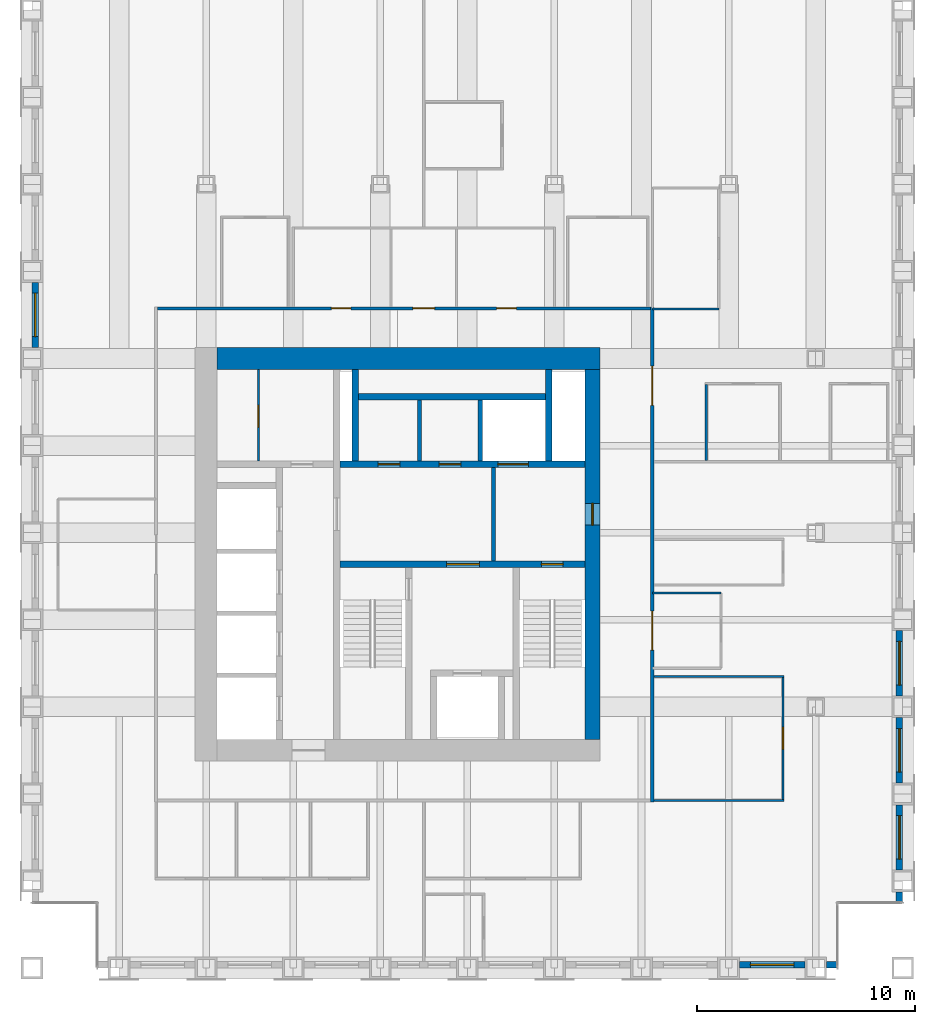
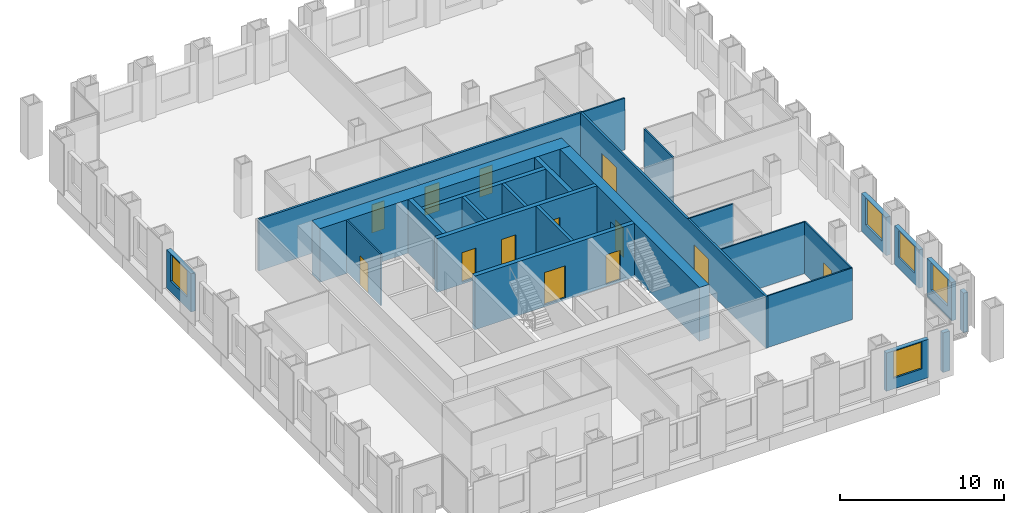
# One storey, part 10 of 14: 26 walls, 13 doors, 5 windows, 18 openings.
"""IFC4 building model written with IfcOpenShell, lengths in metres."""

import ifcopenshell
import ifcopenshell.guid

model = None  # the IFC model being written
_history = None  # IfcOwnerHistory: only IFC2X3 demands one
_inside = {}  # id of a spatial element -> (the spatial element, [elements in it])
_under = {}  # id of a project, library or spatial element -> (it, [spatial elements below it])
_declared = {}  # id of a project -> (the project, [libraries it declares])
_typed = {}  # id of a type object -> (the type object, [elements of that type])
_made_of = {}  # id of a material, layer set ... -> (it, [elements and type objects made of it])


def new_model(schema):
    """Start an empty IFC model of exactly this schema.

    Asked for "IFC4X3", IfcOpenShell would pick the latest addendum, in which some entities
    have other attributes; the version numbers below select the first issue.
    IFC2X3 requires an IfcOwnerHistory on every rooted entity: one is made here for all.
    """
    global model, _history
    if schema == "IFC4X3":
        model = ifcopenshell.file(schema_version=(4, 3, 0, 0))
    else:
        model = ifcopenshell.file(schema=schema)
    _inside.clear()
    _under.clear()
    _declared.clear()
    _typed.clear()
    _made_of.clear()
    _history = None
    if model.schema == "IFC2X3":
        org = make("IfcOrganization", Name="unknown")
        user = make(
            "IfcPersonAndOrganization",
            ThePerson=make("IfcPerson", FamilyName="unknown"),
            TheOrganization=org,
        )
        app = make(
            "IfcApplication",
            ApplicationDeveloper=org,
            Version="unknown",
            ApplicationFullName="unknown",
            ApplicationIdentifier="unknown",
        )
        _history = make(
            "IfcOwnerHistory",
            OwningUser=user,
            OwningApplication=app,
            ChangeAction="ADDED",
            CreationDate=0,
        )
    return model


def make(cls, **values):
    """One entity of the class cls with the attributes given. An attribute that is None is left unset."""
    return model.create_entity(
        cls, **{name: value for name, value in values.items() if value is not None}
    )


def rooted(cls, **values):
    """An entity with a GlobalId (a new one), such as an element, a storey or a relation."""
    return make(cls, GlobalId=ifcopenshell.guid.new(), OwnerHistory=_history, **values)


def si_unit(unit_type, name, prefix=None):
    """IfcSIUnit, for example si_unit("LENGTHUNIT", "METRE", prefix="MILLI")."""
    return make("IfcSIUnit", UnitType=unit_type, Prefix=prefix, Name=name)


def assignment(units):
    """IfcUnitAssignment: the units of a project."""
    return None if units is None else make("IfcUnitAssignment", Units=units)


def point(xyz):
    """IfcCartesianPoint."""
    return None if xyz is None else make("IfcCartesianPoint", Coordinates=xyz)


def direction(xyz):
    """IfcDirection."""
    return None if xyz is None else make("IfcDirection", DirectionRatios=xyz)


def frame(location, z_axis=None, x_axis=None):
    """IfcAxis2Placement3D, a coordinate frame: its origin and axes. An axis left out is left unset."""
    return make(
        "IfcAxis2Placement3D",
        Location=point(location),
        Axis=direction(z_axis),
        RefDirection=direction(x_axis),
    )


def frame_2d(location, x_axis=None):
    """IfcAxis2Placement2D, a coordinate frame in the plane: its origin and x axis."""
    return make(
        "IfcAxis2Placement2D", Location=point(location), RefDirection=direction(x_axis)
    )


def origin():
    """The frame at (0, 0, 0) with its axes left unset."""
    return frame((0.0, 0.0, 0.0))


def place(relative_to, where):
    """IfcLocalPlacement: puts the frame where relative to a parent placement (None: the world)."""
    return make(
        "IfcLocalPlacement", PlacementRelTo=relative_to, RelativePlacement=where
    )


def context(
    kind, dimensions, precision=None, world=None, true_north=None, identifier=None
):
    """IfcGeometricRepresentationContext, for example the 3D "Model" context."""
    return make(
        "IfcGeometricRepresentationContext",
        ContextIdentifier=identifier,
        ContextType=kind,
        CoordinateSpaceDimension=dimensions,
        Precision=precision,
        WorldCoordinateSystem=world,
        TrueNorth=true_north,
    )


def subcontext(parent, identifier, kind, view, scale=None):
    """IfcGeometricRepresentationSubContext, for example "Body" below "Model"."""
    return make(
        "IfcGeometricRepresentationSubContext",
        ContextIdentifier=identifier,
        ContextType=kind,
        ParentContext=parent,
        TargetScale=scale,
        TargetView=view,
    )


def project(units=None, contexts=None):
    """IfcProject with its units and contexts."""
    return rooted(
        "IfcProject",
        Name="project",
        RepresentationContexts=contexts,
        UnitsInContext=assignment(units),
    )


def spatial(cls, under=None, at=None, **own):
    """A site, building, storey or space (cls), placed at a placement, below another one or the project."""
    s = rooted(cls, ObjectPlacement=at, **own)
    if under is not None:
        _under.setdefault(under.id(), (under, []))[1].append(s)
    return s


def profile(cls, at=None, kind="AREA", **sizes):
    """A parametric profile (cls). Its sizes go by their IFC names, for example OverallWidth=200.0."""
    return make(cls, ProfileType=kind, Position=at, **sizes)


def rectangle(**sizes):
    """IfcRectangleProfileDef."""
    return profile("IfcRectangleProfileDef", **sizes)


def extrude(swept, where, along, depth):
    """IfcExtrudedAreaSolid: the profile swept, set in the frame where, extruded along a direction by depth."""
    return make(
        "IfcExtrudedAreaSolid",
        SweptArea=swept,
        Position=where,
        ExtrudedDirection=direction(along),
        Depth=depth,
    )


def shape(context_of_items, identifier, shape_type, items):
    """IfcShapeRepresentation: the items that make up one representation, for example the "Body"."""
    return make(
        "IfcShapeRepresentation",
        ContextOfItems=context_of_items,
        RepresentationIdentifier=identifier,
        RepresentationType=shape_type,
        Items=items,
    )


def material(Name=None, Category=None):
    """IfcMaterial."""
    return make("IfcMaterial", Name=Name, Category=Category)


def layer(
    of_material, thickness, ventilated=None, Name=None, Category=None, Priority=None
):
    """IfcMaterialLayer: one layer of a wall or slab, of a material (None: an air gap)."""
    return make(
        "IfcMaterialLayer",
        Material=of_material,
        LayerThickness=thickness,
        IsVentilated=ventilated,
        Name=Name,
        Category=Category,
        Priority=Priority,
    )


def layer_set(layers, Name=None):
    """IfcMaterialLayerSet."""
    return make("IfcMaterialLayerSet", MaterialLayers=layers, LayerSetName=Name)


def made_of(thing, what):
    """Note that an element or type object is made of a material, layer set ...; save() writes the relation."""
    if what is not None:
        _made_of.setdefault(what.id(), (what, []))[1].append(thing)
    return thing


def type_object(cls, material=None, **own):
    """A type object (cls), such as IfcWallType, which elements share."""
    return made_of(rooted(cls, **own), material)


def element(
    cls,
    number,
    at=None,
    inside=None,
    cuts=None,
    type_object=None,
    material=None,
    context=None,
    identifier="Body",
    shape_type=None,
    held_by="IfcProductDefinitionShape",
    body=None,
    shapes=None,
    **own,
):
    """One element of the class cls, such as IfcWall. Its Tag is "e" and its number.

    at: its placement. inside: the storey or other place that contains it. cuts: it is an
    opening in that element (IfcRelVoidsElement). A single representation is given by context,
    identifier, shape_type and body (its items); several are given by shapes. held_by: the class
    of the entity that holds the representations. save() writes the other relations.
    """
    e = rooted(cls, Tag="e%d" % number, ObjectPlacement=at, **own)
    if body is not None:
        shapes = [shape(context, identifier, shape_type, body)]
    if shapes is not None:
        e.Representation = make(held_by, Representations=shapes)
    if inside is not None:
        _inside.setdefault(inside.id(), (inside, []))[1].append(e)
    if cuts is not None:
        rooted(
            "IfcRelVoidsElement", RelatingBuildingElement=cuts, RelatedOpeningElement=e
        )
    if type_object is not None:
        _typed.setdefault(type_object.id(), (type_object, []))[1].append(e)
    return made_of(e, material)


def fill(opening, filler):
    """IfcRelFillsElement: the door or window that sits in an opening."""
    return rooted(
        "IfcRelFillsElement",
        RelatingOpeningElement=opening,
        RelatedBuildingElement=filler,
    )


def aggregate(whole, parts):
    """IfcRelAggregates: a whole, such as a stair, and the parts it consists of."""
    return rooted("IfcRelAggregates", RelatingObject=whole, RelatedObjects=parts)


def save(model, path):
    """Write the relations noted so far, then the file.

    IfcRelAggregates (storeys below a building ...), IfcRelContainedInSpatialStructure (elements
    in a storey), IfcRelDefinesByType, IfcRelAssociatesMaterial and IfcRelDeclares: one each for
    every whole, place, type object, material and project.
    """
    for whole, parts in _under.values():
        aggregate(whole, parts)
    for where, things in _inside.values():
        rooted(
            "IfcRelContainedInSpatialStructure",
            RelatedElements=things,
            RelatingStructure=where,
        )
    for kind, things in _typed.values():
        rooted("IfcRelDefinesByType", RelatedObjects=things, RelatingType=kind)
    for what, things in _made_of.values():
        rooted("IfcRelAssociatesMaterial", RelatedObjects=things, RelatingMaterial=what)
    for by, libraries in _declared.values():
        rooted("IfcRelDeclares", RelatingContext=by, RelatedDefinitions=libraries)
    model.write(path)


model = new_model("IFC4")

# Units and contexts
model_context = context("Model", 3, precision=1e-05, world=origin(), true_north=direction((0.0, 1.0)))
body_context = subcontext(model_context, "Body", "Model", "MODEL_VIEW")
ifc_project = project(units=[si_unit("LENGTHUNIT", "METRE"), si_unit("AREAUNIT", "SQUARE_METRE"), si_unit("VOLUMEUNIT", "CUBIC_METRE"), si_unit("PLANEANGLEUNIT", "RADIAN"), si_unit("MASSUNIT", "GRAM", prefix="KILO")], contexts=[model_context])

# Site, building, storey
site_placement = place(None, origin())
site = spatial("IfcSite", under=ifc_project, at=site_placement, CompositionType="ELEMENT")
building_placement = place(site_placement, origin())
building = spatial("IfcBuilding", under=site, at=building_placement, Name="Rimbunsela Tower", CompositionType="ELEMENT")
storey_placement = place(building_placement, frame((0.0, 0.0, 226.199951171875)))
storey = spatial("IfcBuildingStorey", under=building, at=storey_placement, Name="L54", CompositionType="ELEMENT", Elevation=226.199951171875)

# Wall, openings, doors
ifc_material_1 = material(Name="Concrete fc' 80 MPa", Category="concrete")
ifc_layer_1 = layer(ifc_material_1, 0.300048828125)
ifc_layer_set_1 = layer_set([ifc_layer_1], Name="Core internal wall 300")
wall_type_1 = type_object("IfcWallType", Name="Core internal wall 300", PredefinedType="SHEAR", material=ifc_layer_set_1)
wall_1_placement = place(storey_placement, frame((24.14990234375, 26.550048828125, -0.14990234375), z_axis=(0.0, 0.0, 1.0), x_axis=(1.0, 0.0, 0.0)))
wall_1 = element("IfcWall", 1, at=wall_1_placement, inside=storey, type_object=wall_type_1, Name="Core wall lobby south", PredefinedType="SHEAR", context=body_context, shape_type="SweptSolid", body=[
    extrude(rectangle(XDim=11.25, YDim=0.300048828125, at=frame_2d((5.625, 0.0))), origin(), (0.0, 0.0, 1.0), 4.0),
])
opening_1_placement = place(wall_1_placement, frame((9.25, 0.0, 0.14990234375)))
opening_1 = element("IfcOpeningElement", 2, at=opening_1_placement, cuts=wall_1, Name="Opening D01", PredefinedType="OPENING", context=body_context, shape_type="SweptSolid", body=[
    extrude(rectangle(XDim=1.0, YDim=2.199951171875, at=frame_2d((0.5, 1.10009765625))), frame((0.0, 0.159912109375, 0.0), z_axis=(0.0, -1.0, 0.0), x_axis=(1.0, 0.0, 0.0)), (0.0, 0.0, 1.0), 0.320068359375),
])
opening_2_placement = place(wall_1_placement, frame((4.89990234375, 0.0, 0.14990234375)))
opening_2 = element("IfcOpeningElement", 3, at=opening_2_placement, cuts=wall_1, Name="Opening D03", PredefinedType="OPENING", context=body_context, shape_type="SweptSolid", body=[
    extrude(rectangle(XDim=1.5, YDim=2.39990234375, at=frame_2d((0.75, 1.199951171875))), frame((0.0, 0.159912109375, 0.0), z_axis=(0.0, -1.0, 0.0), x_axis=(1.0, 0.0, 0.0)), (0.0, 0.0, 1.0), 0.320068359375),
])
ifc_material_2 = material(Name="Steel door, fire rated", Category="steel")
door_type_1 = type_object("IfcDoorType", Name="Core lobby door 1500", OperationType="DOUBLE_DOOR_DOUBLE_SWING", PredefinedType="DOOR", material=ifc_material_2)
door_1_placement = place(opening_2_placement, origin())
door_1 = element("IfcDoor", 4, at=door_1_placement, inside=storey, type_object=door_type_1, Name="Firefighting lobby door", OperationType="DOUBLE_DOOR_DOUBLE_SWING", OverallHeight=2.39990234375, OverallWidth=1.5, PredefinedType="DOOR", context=body_context, shape_type="SweptSolid", body=[
    extrude(rectangle(XDim=1.5, YDim=2.39990234375, at=frame_2d((0.75, 1.199951171875))), frame((0.0, 0.02490234375, 0.0), z_axis=(0.0, -1.0, 0.0), x_axis=(1.0, 0.0, 0.0)), (0.0, 0.0, 1.0), 0.050048828125),
])
fill(opening_2, door_1)
ifc_material_3 = material(Name="Steel door, fire rated", Category="steel")
door_type_2 = type_object("IfcDoorType", Name="Stair door 1000", OperationType="SINGLE_SWING_RIGHT", PredefinedType="DOOR", material=ifc_material_3)
door_2_placement = place(opening_1_placement, frame((1.0, 0.0, 0.0), z_axis=(0.0, 0.0, 1.0), x_axis=(-1.0, 0.0, 0.0)))
door_2 = element("IfcDoor", 5, at=door_2_placement, inside=storey, type_object=door_type_2, Name="Stair B door", OperationType="SINGLE_SWING_RIGHT", OverallHeight=2.199951171875, OverallWidth=1.0, PredefinedType="DOOR", context=body_context, shape_type="SweptSolid", body=[
    extrude(rectangle(XDim=1.0, YDim=2.199951171875, at=frame_2d((0.5, 1.10009765625))), frame((0.0, 0.02490234375, 0.0), z_axis=(0.0, -1.0, 0.0), x_axis=(1.0, 0.0, 0.0)), (0.0, 0.0, 1.0), 0.050048828125),
])
fill(opening_1, door_2)

wall_2_placement = place(storey_placement, frame((24.14990234375, 31.14990234375, -0.14990234375), z_axis=(0.0, 0.0, 1.0), x_axis=(1.0, 0.0, 0.0)))
wall_2 = element("IfcWall", 6, at=wall_2_placement, inside=storey, type_object=wall_type_1, Name="Lift shaft front north", PredefinedType="SHEAR", context=body_context, shape_type="SweptSolid", body=[
    extrude(rectangle(XDim=11.25, YDim=0.300048828125, at=frame_2d((5.625, 0.0))), origin(), (0.0, 0.0, 1.0), 4.0),
])
opening_3_placement = place(wall_2_placement, frame((1.75, 0.0, 0.14990234375)))
opening_3 = element("IfcOpeningElement", 7, at=opening_3_placement, cuts=wall_2, Name="Opening D19", PredefinedType="OPENING", context=body_context, shape_type="SweptSolid", body=[
    extrude(rectangle(XDim=1.0, YDim=2.199951171875, at=frame_2d((0.5, 1.10009765625))), frame((0.0, 0.159912109375, 0.0), z_axis=(0.0, -1.0, 0.0), x_axis=(1.0, 0.0, 0.0)), (0.0, 0.0, 1.0), 0.320068359375),
])
opening_4_placement = place(wall_2_placement, frame((4.550048828125, 0.0, 0.14990234375)))
opening_4 = element("IfcOpeningElement", 8, at=opening_4_placement, cuts=wall_2, Name="Opening D19", PredefinedType="OPENING", context=body_context, shape_type="SweptSolid", body=[
    extrude(rectangle(XDim=1.0, YDim=2.199951171875, at=frame_2d((0.5, 1.10009765625))), frame((0.0, 0.159912109375, 0.0), z_axis=(0.0, -1.0, 0.0), x_axis=(1.0, 0.0, 0.0)), (0.0, 0.0, 1.0), 0.320068359375),
])
opening_5_placement = place(wall_2_placement, frame((7.25, 0.0, 0.14990234375)))
opening_5 = element("IfcOpeningElement", 9, at=opening_5_placement, cuts=wall_2, Name="Opening LD3", PredefinedType="OPENING", context=body_context, shape_type="SweptSolid", body=[
    extrude(rectangle(XDim=1.39990234375, YDim=2.39990234375, at=frame_2d((0.699951171875, 1.199951171875))), frame((0.0, 0.159912109375, 0.0), z_axis=(0.0, -1.0, 0.0), x_axis=(1.0, 0.0, 0.0)), (0.0, 0.0, 1.0), 0.320068359375),
])
ifc_material_4 = material(Name="Steel door, fire rated", Category="steel")
door_type_3 = type_object("IfcDoorType", Name="Lift landing door 1400", OperationType="DOUBLE_DOOR_SLIDING", PredefinedType="DOOR", material=ifc_material_4)
door_3_placement = place(opening_5_placement, origin())
door_3 = element("IfcDoor", 10, at=door_3_placement, inside=storey, type_object=door_type_3, Name="Lift landing door FL2", OperationType="DOUBLE_DOOR_SLIDING", OverallHeight=2.39990234375, OverallWidth=1.39990234375, PredefinedType="DOOR", context=body_context, shape_type="SweptSolid", body=[
    extrude(rectangle(XDim=1.39990234375, YDim=2.39990234375, at=frame_2d((0.699951171875, 1.199951171875))), frame((0.0, 0.02490234375, 0.0), z_axis=(0.0, -1.0, 0.0), x_axis=(1.0, 0.0, 0.0)), (0.0, 0.0, 1.0), 0.050048828125),
])
fill(opening_5, door_3)
ifc_material_5 = material(Name="Steel door, fire rated", Category="steel")
door_type_4 = type_object("IfcDoorType", Name="Service door 1000 fire rated", OperationType="SINGLE_SWING_LEFT", PredefinedType="DOOR", material=ifc_material_5)
door_4_placement = place(opening_3_placement, origin())
door_4 = element("IfcDoor", 11, at=door_4_placement, inside=storey, type_object=door_type_4, Name="IT room door", OperationType="SINGLE_SWING_LEFT", OverallHeight=2.199951171875, OverallWidth=1.0, PredefinedType="DOOR", context=body_context, shape_type="SweptSolid", body=[
    extrude(rectangle(XDim=1.0, YDim=2.199951171875, at=frame_2d((0.5, 1.10009765625))), frame((0.0, 0.02490234375, 0.0), z_axis=(0.0, -1.0, 0.0), x_axis=(1.0, 0.0, 0.0)), (0.0, 0.0, 1.0), 0.050048828125),
])
fill(opening_3, door_4)
door_5_placement = place(opening_4_placement, origin())
door_5 = element("IfcDoor", 12, at=door_5_placement, inside=storey, type_object=door_type_4, Name="Tenant store door", OperationType="SINGLE_SWING_LEFT", OverallHeight=2.199951171875, OverallWidth=1.0, PredefinedType="DOOR", context=body_context, shape_type="SweptSolid", body=[
    extrude(rectangle(XDim=1.0, YDim=2.199951171875, at=frame_2d((0.5, 1.10009765625))), frame((0.0, 0.02490234375, 0.0), z_axis=(0.0, -1.0, 0.0), x_axis=(1.0, 0.0, 0.0)), (0.0, 0.0, 1.0), 0.050048828125),
])
fill(opening_4, door_5)

# Walls
for number, where, z_axis, x_axis, name in (
    (13, (24.85009765625, 31.300048828125, -0.14990234375), (0.0, 0.0, 1.0), (0.0, 1.0, 0.0), "Riser wall"),
    (14, (33.75, 31.300048828125, -0.14990234375), (0.0, 0.0, 1.0), (0.0, 1.0, 0.0), "Riser wall"),
):
    element("IfcWall", number, at=place(storey_placement, frame(where, z_axis=z_axis, x_axis=x_axis)), inside=storey, type_object=wall_type_1, Name=name, PredefinedType="SHEAR", context=body_context, shape_type="SweptSolid", body=[
        extrude(rectangle(XDim=4.199951171875, YDim=0.300048828125, at=frame_2d((2.10009765625, 0.0))), origin(), (0.0, 0.0, 1.0), 4.0),
    ])
wall_3_placement = place(storey_placement, frame((25.0, 34.25, -0.14990234375), z_axis=(0.0, 0.0, 1.0), x_axis=(1.0, 0.0, 0.0)))
element("IfcWall", 15, at=wall_3_placement, inside=storey, type_object=wall_type_1, Name="Lift shaft rear north", PredefinedType="SHEAR", context=body_context, shape_type="SweptSolid", body=[
    extrude(rectangle(XDim=8.60009765625, YDim=0.300048828125, at=frame_2d((4.300048828125, 0.0))), origin(), (0.0, 0.0, 1.0), 4.0),
])

# Wall, opening, door
ifc_material_6 = material(Name="Concrete blockwork", Category="masonry")
ifc_layer_2 = layer(ifc_material_6, 0.10009765625)
ifc_layer_set_2 = layer_set([ifc_layer_2], Name="Core room partition 100")
wall_type_2 = type_object("IfcWallType", Name="Core room partition 100", PredefinedType="PARTITIONING", material=ifc_layer_set_2)
wall_4_placement = place(storey_placement, frame((20.39990234375, 31.300048828125, 0.0), z_axis=(0.0, 0.0, 1.0), x_axis=(0.0, 1.0, 0.0)))
wall_4 = element("IfcWall", 16, at=wall_4_placement, inside=storey, type_object=wall_type_2, Name="Equipment store wall", PredefinedType="PARTITIONING", context=body_context, shape_type="SweptSolid", body=[
    extrude(rectangle(XDim=4.199951171875, YDim=0.10009765625, at=frame_2d((2.10009765625, 0.0))), origin(), (0.0, 0.0, 1.0), 3.85009765625),
])
opening_6_placement = place(wall_4_placement, frame((1.550048828125, 0.0, 0.0)))
opening_6 = element("IfcOpeningElement", 17, at=opening_6_placement, cuts=wall_4, Name="Opening D19", PredefinedType="OPENING", context=body_context, shape_type="SweptSolid", body=[
    extrude(rectangle(XDim=1.0, YDim=2.199951171875, at=frame_2d((0.5, 1.10009765625))), frame((0.0, 0.06005859375, 0.0), z_axis=(0.0, -1.0, 0.0), x_axis=(1.0, 0.0, 0.0)), (0.0, 0.0, 1.0), 0.1201171875),
])
door_6_placement = place(opening_6_placement, origin())
door_6 = element("IfcDoor", 18, at=door_6_placement, inside=storey, type_object=door_type_4, Name="Equipment store door", OperationType="SINGLE_SWING_LEFT", OverallHeight=2.199951171875, OverallWidth=1.0, PredefinedType="DOOR", context=body_context, shape_type="SweptSolid", body=[
    extrude(rectangle(XDim=1.0, YDim=2.199951171875, at=frame_2d((0.5, 1.10009765625))), frame((0.0, 0.02490234375, 0.0), z_axis=(0.0, -1.0, 0.0), x_axis=(1.0, 0.0, 0.0)), (0.0, 0.0, 1.0), 0.050048828125),
])
fill(opening_6, door_6)

# Wall
ifc_material_7 = material(Name="Concrete fc' 80 MPa", Category="concrete")
ifc_layer_3 = layer(ifc_material_7, 1.0)
ifc_layer_set_3 = layer_set([ifc_layer_3], Name="Core wall 1000")
wall_type_3 = type_object("IfcWallType", Name="Core wall 1000", PredefinedType="SHEAR", material=ifc_layer_set_3)
wall_5_placement = place(storey_placement, frame((18.5, 36.0, -0.14990234375), z_axis=(0.0, 0.0, 1.0), x_axis=(1.0, 0.0, 0.0)))
element("IfcWall", 19, at=wall_5_placement, inside=storey, type_object=wall_type_3, Name="Core wall north", PredefinedType="SHEAR", context=body_context, shape_type="SweptSolid", body=[
    extrude(rectangle(XDim=17.60009765625, YDim=1.0, at=frame_2d((8.800048828125, 0.0))), origin(), (0.0, 0.0, 1.0), 4.0),
])

# Wall, opening, door
ifc_material_8 = material(Name="Concrete fc' 80 MPa", Category="concrete")
ifc_layer_4 = layer(ifc_material_8, 0.699951171875)
ifc_layer_set_4 = layer_set([ifc_layer_4], Name="Core wall 700 east")
wall_type_4 = type_object("IfcWallType", Name="Core wall 700 east", PredefinedType="SHEAR", material=ifc_layer_set_4)
wall_6_placement = place(storey_placement, frame((35.75, 18.5, -0.14990234375), z_axis=(0.0, 0.0, 1.0), x_axis=(0.0, 1.0, 0.0)))
wall_6 = element("IfcWall", 20, at=wall_6_placement, inside=storey, type_object=wall_type_4, Name="Core wall east", PredefinedType="SHEAR", context=body_context, shape_type="SweptSolid", body=[
    extrude(rectangle(XDim=17.0, YDim=0.699951171875, at=frame_2d((8.5, 0.0))), origin(), (0.0, 0.0, 1.0), 4.0),
])
opening_7_placement = place(wall_6_placement, frame((9.85009765625, 0.0, 0.14990234375)))
opening_7 = element("IfcOpeningElement", 21, at=opening_7_placement, cuts=wall_6, Name="Opening D01", PredefinedType="OPENING", context=body_context, shape_type="SweptSolid", body=[
    extrude(rectangle(XDim=1.0, YDim=2.199951171875, at=frame_2d((0.5, 1.10009765625))), frame((0.0, 0.35986328125, 0.0), z_axis=(0.0, -1.0, 0.0), x_axis=(1.0, 0.0, 0.0)), (0.0, 0.0, 1.0), 0.719970703125),
])
door_7_placement = place(opening_7_placement, origin())
door_7 = element("IfcDoor", 22, at=door_7_placement, inside=storey, type_object=door_type_2, Name="Firefighting lobby 2 door", OperationType="SINGLE_SWING_RIGHT", OverallHeight=2.199951171875, OverallWidth=1.0, PredefinedType="DOOR", context=body_context, shape_type="SweptSolid", body=[
    extrude(rectangle(XDim=1.0, YDim=2.199951171875, at=frame_2d((0.5, 1.10009765625))), frame((0.0, 0.02490234375, 0.0), z_axis=(0.0, -1.0, 0.0), x_axis=(1.0, 0.0, 0.0)), (0.0, 0.0, 1.0), 0.050048828125),
])
fill(opening_7, door_7)

# Walls
ifc_material_9 = material(Name="Concrete blockwork", Category="masonry")
ifc_layer_5 = layer(ifc_material_9, 0.199951171875)
ifc_layer_set_5 = layer_set([ifc_layer_5], Name="Lift shaft wall 200")
wall_type_5 = type_object("IfcWallType", Name="Lift shaft wall 200", PredefinedType="SOLIDWALL", material=ifc_layer_set_5)
wall_7_placement = place(storey_placement, frame((27.800048828125, 31.300048828125, 0.0), z_axis=(0.0, 0.0, 1.0), x_axis=(0.0, 1.0, 0.0)))
element("IfcWall", 23, at=wall_7_placement, inside=storey, type_object=wall_type_5, Name="Lift shaft separation", PredefinedType="SOLIDWALL", context=body_context, shape_type="SweptSolid", body=[
    extrude(rectangle(XDim=2.800048828125, YDim=0.199951171875, at=frame_2d((1.39990234375, 0.0))), origin(), (0.0, 0.0, 1.0), 3.85009765625),
])
wall_8_placement = place(storey_placement, frame((30.60009765625, 31.300048828125, -0.14990234375), z_axis=(0.0, 0.0, 1.0), x_axis=(0.0, 1.0, 0.0)))
element("IfcWall", 24, at=wall_8_placement, inside=storey, type_object=wall_type_5, Name="Lift shaft separation", PredefinedType="SOLIDWALL", context=body_context, shape_type="SweptSolid", body=[
    extrude(rectangle(XDim=2.800048828125, YDim=0.199951171875, at=frame_2d((1.39990234375, 0.0))), origin(), (0.0, 0.0, 1.0), 4.0),
])
wall_9_placement = place(storey_placement, frame((31.199951171875, 26.699951171875, 0.0), z_axis=(0.0, 0.0, 1.0), x_axis=(0.0, 1.0, 0.0)))
element("IfcWall", 25, at=wall_9_placement, inside=storey, type_object=wall_type_5, Name="Firefighting lobby 2 wall", PredefinedType="SOLIDWALL", context=body_context, shape_type="SweptSolid", body=[
    extrude(rectangle(XDim=4.300048828125, YDim=0.199951171875, at=frame_2d((2.14990234375, 0.0))), origin(), (0.0, 0.0, 1.0), 3.85009765625),
])
ifc_material_10 = material(Name="Gypsum board on steel studs", Category="steel")
ifc_layer_6 = layer(ifc_material_10, 0.10009765625)
ifc_layer_set_6 = layer_set([ifc_layer_6], Name="Office partition 100")
wall_type_6 = type_object("IfcWallType", Name="Office partition 100", PredefinedType="PARTITIONING", material=ifc_layer_set_6)
for number, where, z_axis, x_axis, name in (
    (26, (38.574951171875, 15.699951171875, 0.0), (0.0, 0.0, 1.0), (1.0, 0.0, 0.0), "Office partition"),
    (27, (38.574951171875, 21.39892578125, 0.0), (0.0, 0.0, 1.0), (1.0, 0.0, 0.0), "Office partition"),
):
    element("IfcWall", number, at=place(storey_placement, frame(where, z_axis=z_axis, x_axis=x_axis)), inside=storey, type_object=wall_type_6, Name=name, PredefinedType="PARTITIONING", context=body_context, shape_type="SweptSolid", body=[
        extrude(rectangle(XDim=5.97509765625, YDim=0.10009765625, at=frame_2d((2.987548828125, 0.0))), origin(), (0.0, 0.0, 1.0), 3.85009765625),
    ])
wall_10_placement = place(storey_placement, frame((40.97509765625, 31.31005859375, 0.0), z_axis=(0.0, 0.0, 1.0), x_axis=(0.0, 1.0, 0.0)))
element("IfcWall", 28, at=wall_10_placement, inside=storey, type_object=wall_type_6, Name="Office partition", PredefinedType="PARTITIONING", context=body_context, shape_type="SweptSolid", body=[
    extrude(rectangle(XDim=3.489990234375, YDim=0.10009765625, at=frame_2d((1.7451171875, 0.0))), origin(), (0.0, 0.0, 1.0), 3.85009765625),
])

# Wall, opening, door
wall_11_placement = place(storey_placement, frame((44.5, 15.75, 0.0), z_axis=(0.0, 0.0, 1.0), x_axis=(0.0, 1.0, 0.0)))
wall_11 = element("IfcWall", 29, at=wall_11_placement, inside=storey, type_object=wall_type_6, Name="Office partition", PredefinedType="PARTITIONING", context=body_context, shape_type="SweptSolid", body=[
    extrude(rectangle(XDim=5.59912109375, YDim=0.10009765625, at=frame_2d((2.799560546875, 0.0))), origin(), (0.0, 0.0, 1.0), 3.85009765625),
])
opening_8_placement = place(wall_11_placement, frame((2.299560546875, 0.0, 0.0)))
opening_8 = element("IfcOpeningElement", 30, at=opening_8_placement, cuts=wall_11, Name="Opening D16", PredefinedType="OPENING", context=body_context, shape_type="SweptSolid", body=[
    extrude(rectangle(XDim=1.0, YDim=2.199951171875, at=frame_2d((0.5, 1.10009765625))), frame((0.0, 0.06005859375, 0.0), z_axis=(0.0, -1.0, 0.0), x_axis=(1.0, 0.0, 0.0)), (0.0, 0.0, 1.0), 0.1201171875),
])
ifc_material_11 = material(Name="Timber door", Category="wood")
door_type_5 = type_object("IfcDoorType", Name="Office door 1000", OperationType="SINGLE_SWING_LEFT", PredefinedType="DOOR", material=ifc_material_11)
door_8_placement = place(opening_8_placement, origin())
door_8 = element("IfcDoor", 31, at=door_8_placement, inside=storey, type_object=door_type_5, Name="Office door", OperationType="SINGLE_SWING_LEFT", OverallHeight=2.199951171875, OverallWidth=1.0, PredefinedType="DOOR", context=body_context, shape_type="SweptSolid", body=[
    extrude(rectangle(XDim=1.0, YDim=2.199951171875, at=frame_2d((0.5, 1.10009765625))), frame((0.0, 0.02490234375, 0.0), z_axis=(0.0, -1.0, 0.0), x_axis=(1.0, 0.0, 0.0)), (0.0, 0.0, 1.0), 0.050048828125),
])
fill(opening_8, door_8)

# Walls
wall_12_placement = place(storey_placement, frame((41.64990234375, 25.22412109375, 0.0), z_axis=(0.0, 0.0, 1.0), x_axis=(-1.0, 0.0, 0.0)))
element("IfcWall", 32, at=wall_12_placement, inside=storey, type_object=wall_type_6, Name="Office partition", PredefinedType="PARTITIONING", context=body_context, shape_type="SweptSolid", body=[
    extrude(rectangle(XDim=3.14990234375, YDim=0.10009765625, at=frame_2d((1.574951171875, 0.0))), origin(), (0.0, 0.0, 1.0), 3.85009765625),
])
wall_13_placement = place(storey_placement, frame((38.5, 38.27587890625, 0.0), z_axis=(0.0, 0.0, 1.0), x_axis=(1.0, 0.0, 0.0)))
element("IfcWall", 33, at=wall_13_placement, inside=storey, type_object=wall_type_6, Name="Office partition", PredefinedType="PARTITIONING", context=body_context, shape_type="SweptSolid", body=[
    extrude(rectangle(XDim=3.050048828125, YDim=0.10009765625, at=frame_2d((1.52490234375, 0.0))), origin(), (0.0, 0.0, 1.0), 3.85009765625),
])

# Wall, opening, window
ifc_material_12 = material(Name="Precast concrete fc' 35 MPa", Category="concrete")
ifc_layer_7 = layer(ifc_material_12, 0.300048828125)
ifc_layer_set_7 = layer_set([ifc_layer_7], Name="Precast concrete fc' 35 MPa")
wall_type_7 = type_object("IfcWallType", Name="Precast facade panel 300", PredefinedType="ELEMENTEDWALL", material=ifc_layer_set_7)
wall_14_placement = place(storey_placement, frame((42.5, 8.14990234375, 0.0), z_axis=(0.0, 0.0, 1.0), x_axis=(1.0, 0.0, 0.0)))
wall_14 = element("IfcWall", 34, at=wall_14_placement, inside=storey, type_object=wall_type_7, Name="Facade panel S L54", PredefinedType="ELEMENTEDWALL", context=body_context, shape_type="SweptSolid", body=[
    extrude(rectangle(XDim=3.0, YDim=0.300048828125, at=frame_2d((1.5, 0.0))), origin(), (0.0, 0.0, 1.0), 2.85009765625),
])
opening_9_placement = place(wall_14_placement, frame((0.5, 0.0, 0.800048828125)))
opening_9 = element("IfcOpeningElement", 35, at=opening_9_placement, cuts=wall_14, Name="Opening W1", PredefinedType="OPENING", context=body_context, shape_type="SweptSolid", body=[
    extrude(rectangle(XDim=2.0, YDim=2.0, at=frame_2d((1.0, 1.0))), frame((0.0, 0.159912109375, 0.0), z_axis=(0.0, -1.0, 0.0), x_axis=(1.0, 0.0, 0.0)), (0.0, 0.0, 1.0), 0.320068359375),
])
ifc_material_13 = material(Name="Clear glass in aluminium frame", Category="aluminium")
window_type = type_object("IfcWindowType", Name="Window W1 2000x2000", PartitioningType="DOUBLE_PANEL_VERTICAL", PredefinedType="WINDOW", material=ifc_material_13)
window_1_placement = place(opening_9_placement, origin())
window_1 = element("IfcWindow", 36, at=window_1_placement, inside=storey, type_object=window_type, Name="Window L54", OverallHeight=2.0, OverallWidth=2.0, PartitioningType="SINGLE_PANEL", PredefinedType="WINDOW", context=body_context, shape_type="SweptSolid", body=[
    extrude(rectangle(XDim=2.0, YDim=2.0, at=frame_2d((1.0, 1.0))), frame((0.0, 0.030029296875, 0.0), z_axis=(0.0, -1.0, 0.0), x_axis=(1.0, 0.0, 0.0)), (0.0, 0.0, 1.0), 0.06005859375),
])
fill(opening_9, window_1)

# Walls
for number, where, z_axis, x_axis, name in (
    (37, (46.5, 8.14990234375, 0.0), (0.0, 0.0, 1.0), (1.0, 0.0, 0.0), "Facade panel S L54"),
    (38, (49.85009765625, 11.030029296875, 0.0), (0.0, 0.0, 1.0), (0.0, 1.0, 0.0), "Facade panel E L54"),
):
    element("IfcWall", number, at=place(storey_placement, frame(where, z_axis=z_axis, x_axis=x_axis)), inside=storey, type_object=wall_type_7, Name=name, PredefinedType="ELEMENTEDWALL", context=body_context, shape_type="SweptSolid", body=[
        extrude(rectangle(XDim=0.469970703125, YDim=0.300048828125, at=frame_2d((0.23486328125, 0.0))), origin(), (0.0, 0.0, 1.0), 2.949951171875),
    ])

# Wall, opening, window
wall_15_placement = place(storey_placement, frame((49.85009765625, 12.5, 0.0), z_axis=(0.0, 0.0, 1.0), x_axis=(0.0, 1.0, 0.0)))
wall_15 = element("IfcWall", 39, at=wall_15_placement, inside=storey, type_object=wall_type_7, Name="Facade panel E L54", PredefinedType="ELEMENTEDWALL", context=body_context, shape_type="SweptSolid", body=[
    extrude(rectangle(XDim=3.0, YDim=0.300048828125, at=frame_2d((1.5, 0.0))), origin(), (0.0, 0.0, 1.0), 2.85009765625),
])
opening_10_placement = place(wall_15_placement, frame((0.5, 0.0, 0.800048828125)))
opening_10 = element("IfcOpeningElement", 40, at=opening_10_placement, cuts=wall_15, Name="Opening W1", PredefinedType="OPENING", context=body_context, shape_type="SweptSolid", body=[
    extrude(rectangle(XDim=2.0, YDim=2.0, at=frame_2d((1.0, 1.0))), frame((0.0, 0.159912109375, 0.0), z_axis=(0.0, -1.0, 0.0), x_axis=(1.0, 0.0, 0.0)), (0.0, 0.0, 1.0), 0.320068359375),
])
window_2_placement = place(opening_10_placement, origin())
window_2 = element("IfcWindow", 41, at=window_2_placement, inside=storey, type_object=window_type, Name="Window L54", OverallHeight=2.0, OverallWidth=2.0, PartitioningType="SINGLE_PANEL", PredefinedType="WINDOW", context=body_context, shape_type="SweptSolid", body=[
    extrude(rectangle(XDim=2.0, YDim=2.0, at=frame_2d((1.0, 1.0))), frame((0.0, 0.030029296875, 0.0), z_axis=(0.0, -1.0, 0.0), x_axis=(1.0, 0.0, 0.0)), (0.0, 0.0, 1.0), 0.06005859375),
])
fill(opening_10, window_2)

wall_16_placement = place(storey_placement, frame((49.85009765625, 16.5, 0.0), z_axis=(0.0, 0.0, 1.0), x_axis=(0.0, 1.0, 0.0)))
wall_16 = element("IfcWall", 42, at=wall_16_placement, inside=storey, type_object=wall_type_7, Name="Facade panel E L54", PredefinedType="ELEMENTEDWALL", context=body_context, shape_type="SweptSolid", body=[
    extrude(rectangle(XDim=3.0, YDim=0.300048828125, at=frame_2d((1.5, 0.0))), origin(), (0.0, 0.0, 1.0), 2.85009765625),
])
opening_11_placement = place(wall_16_placement, frame((0.5, 0.0, 0.800048828125)))
opening_11 = element("IfcOpeningElement", 43, at=opening_11_placement, cuts=wall_16, Name="Opening W1", PredefinedType="OPENING", context=body_context, shape_type="SweptSolid", body=[
    extrude(rectangle(XDim=2.0, YDim=2.0, at=frame_2d((1.0, 1.0))), frame((0.0, 0.159912109375, 0.0), z_axis=(0.0, -1.0, 0.0), x_axis=(1.0, 0.0, 0.0)), (0.0, 0.0, 1.0), 0.320068359375),
])
window_3_placement = place(opening_11_placement, origin())
window_3 = element("IfcWindow", 44, at=window_3_placement, inside=storey, type_object=window_type, Name="Window L54", OverallHeight=2.0, OverallWidth=2.0, PartitioningType="SINGLE_PANEL", PredefinedType="WINDOW", context=body_context, shape_type="SweptSolid", body=[
    extrude(rectangle(XDim=2.0, YDim=2.0, at=frame_2d((1.0, 1.0))), frame((0.0, 0.030029296875, 0.0), z_axis=(0.0, -1.0, 0.0), x_axis=(1.0, 0.0, 0.0)), (0.0, 0.0, 1.0), 0.06005859375),
])
fill(opening_11, window_3)

wall_17_placement = place(storey_placement, frame((49.85009765625, 20.5, 0.0), z_axis=(0.0, 0.0, 1.0), x_axis=(0.0, 1.0, 0.0)))
wall_17 = element("IfcWall", 45, at=wall_17_placement, inside=storey, type_object=wall_type_7, Name="Facade panel E L54", PredefinedType="ELEMENTEDWALL", context=body_context, shape_type="SweptSolid", body=[
    extrude(rectangle(XDim=3.0, YDim=0.300048828125, at=frame_2d((1.5, 0.0))), origin(), (0.0, 0.0, 1.0), 2.85009765625),
])
opening_12_placement = place(wall_17_placement, frame((0.5, 0.0, 0.800048828125)))
opening_12 = element("IfcOpeningElement", 46, at=opening_12_placement, cuts=wall_17, Name="Opening W1", PredefinedType="OPENING", context=body_context, shape_type="SweptSolid", body=[
    extrude(rectangle(XDim=2.0, YDim=2.0, at=frame_2d((1.0, 1.0))), frame((0.0, 0.159912109375, 0.0), z_axis=(0.0, -1.0, 0.0), x_axis=(1.0, 0.0, 0.0)), (0.0, 0.0, 1.0), 0.320068359375),
])
window_4_placement = place(opening_12_placement, origin())
window_4 = element("IfcWindow", 47, at=window_4_placement, inside=storey, type_object=window_type, Name="Window L54", OverallHeight=2.0, OverallWidth=2.0, PartitioningType="SINGLE_PANEL", PredefinedType="WINDOW", context=body_context, shape_type="SweptSolid", body=[
    extrude(rectangle(XDim=2.0, YDim=2.0, at=frame_2d((1.0, 1.0))), frame((0.0, 0.030029296875, 0.0), z_axis=(0.0, -1.0, 0.0), x_axis=(1.0, 0.0, 0.0)), (0.0, 0.0, 1.0), 0.06005859375),
])
fill(opening_12, window_4)

wall_18_placement = place(storey_placement, frame((10.14990234375, 39.5, 0.0), z_axis=(0.0, 0.0, 1.0), x_axis=(0.0, -1.0, 0.0)))
wall_18 = element("IfcWall", 48, at=wall_18_placement, inside=storey, type_object=wall_type_7, Name="Facade panel W L54", PredefinedType="ELEMENTEDWALL", context=body_context, shape_type="SweptSolid", body=[
    extrude(rectangle(XDim=3.0, YDim=0.300048828125, at=frame_2d((1.5, 0.0))), origin(), (0.0, 0.0, 1.0), 2.85009765625),
])
opening_13_placement = place(wall_18_placement, frame((0.5, 0.0, 0.800048828125)))
opening_13 = element("IfcOpeningElement", 49, at=opening_13_placement, cuts=wall_18, Name="Opening W1", PredefinedType="OPENING", context=body_context, shape_type="SweptSolid", body=[
    extrude(rectangle(XDim=2.0, YDim=2.0, at=frame_2d((1.0, 1.0))), frame((0.0, 0.159912109375, 0.0), z_axis=(0.0, -1.0, 0.0), x_axis=(1.0, 0.0, 0.0)), (0.0, 0.0, 1.0), 0.320068359375),
])
window_5_placement = place(opening_13_placement, origin())
window_5 = element("IfcWindow", 50, at=window_5_placement, inside=storey, type_object=window_type, Name="Window L54", OverallHeight=2.0, OverallWidth=2.0, PartitioningType="SINGLE_PANEL", PredefinedType="WINDOW", context=body_context, shape_type="SweptSolid", body=[
    extrude(rectangle(XDim=2.0, YDim=2.0, at=frame_2d((1.0, 1.0))), frame((0.0, 0.030029296875, 0.0), z_axis=(0.0, -1.0, 0.0), x_axis=(1.0, 0.0, 0.0)), (0.0, 0.0, 1.0), 0.06005859375),
])
fill(opening_13, window_5)

# Wall, openings, doors
ifc_material_14 = material(Name="Fire-rated gypsum board on steel studs, EI 60", Category="steel")
ifc_layer_8 = layer(ifc_material_14, 0.14990234375)
ifc_layer_set_8 = layer_set([ifc_layer_8], Name="Rated corridor wall 150")
wall_type_8 = type_object("IfcWallType", Name="Rated corridor wall 150", PredefinedType="PARTITIONING", material=ifc_layer_set_8)
wall_19_placement = place(storey_placement, frame((38.5, 15.625, 0.0), z_axis=(0.0, 0.0, 1.0), x_axis=(0.0, 1.0, 0.0)))
wall_19 = element("IfcWall", 51, at=wall_19_placement, inside=storey, type_object=wall_type_8, Name="Corridor wall east", PredefinedType="PARTITIONING", context=body_context, shape_type="SweptSolid", body=[
    extrude(rectangle(XDim=22.75, YDim=0.14990234375, at=frame_2d((11.375, 0.0))), origin(), (0.0, 0.0, 1.0), 3.85009765625),
])
opening_14_placement = place(wall_19_placement, frame((6.97412109375, 0.0, 0.0)))
opening_14 = element("IfcOpeningElement", 52, at=opening_14_placement, cuts=wall_19, Name="Opening D09", PredefinedType="OPENING", context=body_context, shape_type="SweptSolid", body=[
    extrude(rectangle(XDim=1.800048828125, YDim=2.39990234375, at=frame_2d((0.89990234375, 1.199951171875))), frame((0.0, 0.0849609375, 0.0), z_axis=(0.0, -1.0, 0.0), x_axis=(1.0, 0.0, 0.0)), (0.0, 0.0, 1.0), 0.169921875),
])
opening_15_placement = place(wall_19_placement, frame((18.22607421875, 0.0, 0.0)))
opening_15 = element("IfcOpeningElement", 53, at=opening_15_placement, cuts=wall_19, Name="Opening D09", PredefinedType="OPENING", context=body_context, shape_type="SweptSolid", body=[
    extrude(rectangle(XDim=1.800048828125, YDim=2.39990234375, at=frame_2d((0.89990234375, 1.199951171875))), frame((0.0, 0.0849609375, 0.0), z_axis=(0.0, -1.0, 0.0), x_axis=(1.0, 0.0, 0.0)), (0.0, 0.0, 1.0), 0.169921875),
])
ifc_material_15 = material(Name="Glazed aluminium door, fire rated", Category="aluminium")
door_type_6 = type_object("IfcDoorType", Name="Tenancy door 1800 glazed", OperationType="DOUBLE_DOOR_DOUBLE_SWING", PredefinedType="DOOR", material=ifc_material_15)
door_9_placement = place(opening_14_placement, origin())
door_9 = element("IfcDoor", 54, at=door_9_placement, inside=storey, type_object=door_type_6, Name="Tenancy door", OperationType="DOUBLE_DOOR_DOUBLE_SWING", OverallHeight=2.39990234375, OverallWidth=1.800048828125, PredefinedType="DOOR", context=body_context, shape_type="SweptSolid", body=[
    extrude(rectangle(XDim=1.800048828125, YDim=2.39990234375, at=frame_2d((0.89990234375, 1.199951171875))), frame((0.0, 0.02490234375, 0.0), z_axis=(0.0, -1.0, 0.0), x_axis=(1.0, 0.0, 0.0)), (0.0, 0.0, 1.0), 0.050048828125),
])
fill(opening_14, door_9)
door_10_placement = place(opening_15_placement, origin())
door_10 = element("IfcDoor", 55, at=door_10_placement, inside=storey, type_object=door_type_6, Name="Tenancy door", OperationType="DOUBLE_DOOR_DOUBLE_SWING", OverallHeight=2.39990234375, OverallWidth=1.800048828125, PredefinedType="DOOR", context=body_context, shape_type="SweptSolid", body=[
    extrude(rectangle(XDim=1.800048828125, YDim=2.39990234375, at=frame_2d((0.89990234375, 1.199951171875))), frame((0.0, 0.02490234375, 0.0), z_axis=(0.0, -1.0, 0.0), x_axis=(1.0, 0.0, 0.0)), (0.0, 0.0, 1.0), 0.050048828125),
])
fill(opening_15, door_10)

wall_20_placement = place(storey_placement, frame((15.77490234375, 38.300048828125, 0.0), z_axis=(0.0, 0.0, 1.0), x_axis=(1.0, 0.0, 0.0)))
wall_20 = element("IfcWall", 56, at=wall_20_placement, inside=storey, type_object=wall_type_8, Name="Corridor wall north", PredefinedType="PARTITIONING", context=body_context, shape_type="SweptSolid", body=[
    extrude(rectangle(XDim=22.650146484375, YDim=0.14990234375, at=frame_2d((11.3251953125, 0.0))), origin(), (0.0, 0.0, 1.0), 3.85009765625),
])
opening_16_placement = place(wall_20_placement, frame((7.97509765625, 0.0, 0.0)))
opening_16 = element("IfcOpeningElement", 57, at=opening_16_placement, cuts=wall_20, Name="Opening D04", PredefinedType="OPENING", context=body_context, shape_type="SweptSolid", body=[
    extrude(rectangle(XDim=0.89990234375, YDim=2.10009765625, at=frame_2d((0.449951171875, 1.050048828125))), frame((0.0, 0.0849609375, 0.0), z_axis=(0.0, -1.0, 0.0), x_axis=(1.0, 0.0, 0.0)), (0.0, 0.0, 1.0), 0.169921875),
])
opening_17_placement = place(wall_20_placement, frame((11.72509765625, 0.0, 0.0)))
opening_17 = element("IfcOpeningElement", 58, at=opening_17_placement, cuts=wall_20, Name="Opening D05", PredefinedType="OPENING", context=body_context, shape_type="SweptSolid", body=[
    extrude(rectangle(XDim=1.0, YDim=2.10009765625, at=frame_2d((0.5, 1.050048828125))), frame((0.0, 0.0849609375, 0.0), z_axis=(0.0, -1.0, 0.0), x_axis=(1.0, 0.0, 0.0)), (0.0, 0.0, 1.0), 0.169921875),
])
opening_18_placement = place(wall_20_placement, frame((15.574951171875, 0.0, 0.0)))
opening_18 = element("IfcOpeningElement", 59, at=opening_18_placement, cuts=wall_20, Name="Opening D04", PredefinedType="OPENING", context=body_context, shape_type="SweptSolid", body=[
    extrude(rectangle(XDim=0.89990234375, YDim=2.10009765625, at=frame_2d((0.449951171875, 1.050048828125))), frame((0.0, 0.0849609375, 0.0), z_axis=(0.0, -1.0, 0.0), x_axis=(1.0, 0.0, 0.0)), (0.0, 0.0, 1.0), 0.169921875),
])
ifc_material_16 = material(Name="Timber door", Category="wood")
door_type_7 = type_object("IfcDoorType", Name="Accessible WC door 1000", OperationType="SLIDING_TO_LEFT", PredefinedType="DOOR", material=ifc_material_16)
door_11_placement = place(opening_17_placement, origin())
door_11 = element("IfcDoor", 60, at=door_11_placement, inside=storey, type_object=door_type_7, Name="Accessible WC door", OperationType="SLIDING_TO_LEFT", OverallHeight=2.10009765625, OverallWidth=1.0, PredefinedType="DOOR", context=body_context, shape_type="SweptSolid", body=[
    extrude(rectangle(XDim=1.0, YDim=2.10009765625, at=frame_2d((0.5, 1.050048828125))), frame((0.0, 0.02490234375, 0.0), z_axis=(0.0, -1.0, 0.0), x_axis=(1.0, 0.0, 0.0)), (0.0, 0.0, 1.0), 0.050048828125),
])
fill(opening_17, door_11)
ifc_material_17 = material(Name="Timber door", Category="wood")
door_type_8 = type_object("IfcDoorType", Name="Toilet door 900", OperationType="SINGLE_SWING_LEFT", PredefinedType="DOOR", material=ifc_material_17)
door_12_placement = place(opening_16_placement, origin())
door_12 = element("IfcDoor", 61, at=door_12_placement, inside=storey, type_object=door_type_8, Name="Female WC door", OperationType="SINGLE_SWING_LEFT", OverallHeight=2.10009765625, OverallWidth=0.89990234375, PredefinedType="DOOR", context=body_context, shape_type="SweptSolid", body=[
    extrude(rectangle(XDim=0.89990234375, YDim=2.10009765625, at=frame_2d((0.449951171875, 1.050048828125))), frame((0.0, 0.02490234375, 0.0), z_axis=(0.0, -1.0, 0.0), x_axis=(1.0, 0.0, 0.0)), (0.0, 0.0, 1.0), 0.050048828125),
])
fill(opening_16, door_12)
door_13_placement = place(opening_18_placement, origin())
door_13 = element("IfcDoor", 62, at=door_13_placement, inside=storey, type_object=door_type_8, Name="Male WC door", OperationType="SINGLE_SWING_LEFT", OverallHeight=2.10009765625, OverallWidth=0.89990234375, PredefinedType="DOOR", context=body_context, shape_type="SweptSolid", body=[
    extrude(rectangle(XDim=0.89990234375, YDim=2.10009765625, at=frame_2d((0.449951171875, 1.050048828125))), frame((0.0, 0.02490234375, 0.0), z_axis=(0.0, -1.0, 0.0), x_axis=(1.0, 0.0, 0.0)), (0.0, 0.0, 1.0), 0.050048828125),
])
fill(opening_18, door_13)

save(model, "model.ifc")
